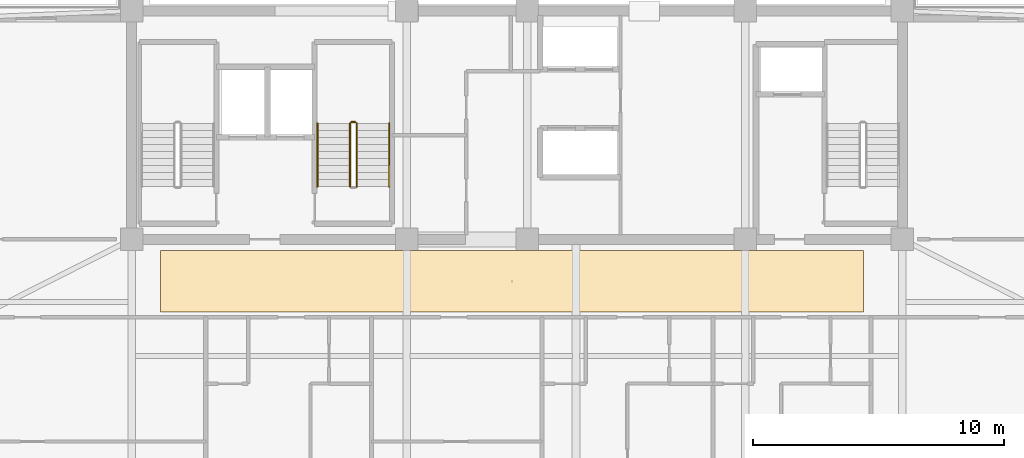
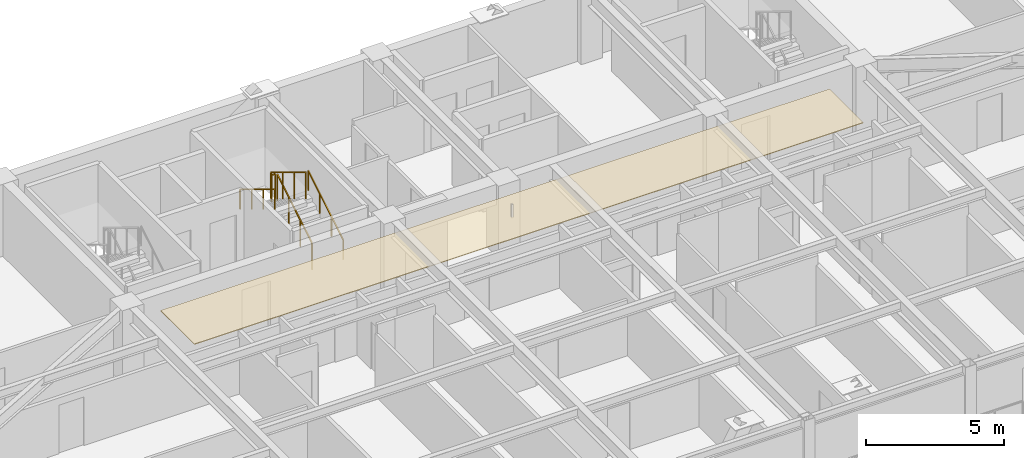
# One storey, part 14 of 15: 5 railings, 1 covering.
"""IFC4 building model written with IfcOpenShell, lengths in metres."""

from ifc_helpers import new_model, si_unit, direction, frame, origin, origin_2d, place, context, subcontext, project, spatial, polyline, rectangle, outline, extrude, material, layer, layer_set, type_object, element, save


model = new_model("IFC4")

# Units and contexts
model_context = context("Model", 3, precision=1e-05, world=origin(), true_north=direction((0.0, 1.0)))
body_context = subcontext(model_context, "Body", "Model", "MODEL_VIEW")
ifc_project = project(units=[si_unit("LENGTHUNIT", "METRE"), si_unit("AREAUNIT", "SQUARE_METRE"), si_unit("VOLUMEUNIT", "CUBIC_METRE"), si_unit("PLANEANGLEUNIT", "RADIAN"), si_unit("MASSUNIT", "GRAM", prefix="KILO")], contexts=[model_context])

# Site, building, storey
site_placement = place(None, origin())
site = spatial("IfcSite", under=ifc_project, at=site_placement, CompositionType="ELEMENT")
building_placement = place(site_placement, origin())
building = spatial("IfcBuilding", under=site, at=building_placement, Name="Giltprow Tower", CompositionType="ELEMENT")
storey_placement = place(building_placement, frame((0.0, 0.0, 297.199951171875)))
storey = spatial("IfcBuildingStorey", under=building, at=storey_placement, Name="L76", CompositionType="ELEMENT", Elevation=297.199951171875)

# Covering
ifc_material_1 = material(Name="Painted gypsum board", Category="gypsum")
ifc_layer = layer(ifc_material_1, 0.030029296875, Name="Painted gypsum board")
ifc_layer_set = layer_set([ifc_layer], Name="Painted gypsum board")
covering_type = type_object("IfcCoveringType", Name="COV-CLG-GYPSUM", PredefinedType="CEILING", material=ifc_layer_set)
covering_placement = place(storey_placement, frame((0.0, 0.0, 2.6201171875)))
element("IfcCovering", 1, at=covering_placement, inside=storey, type_object=covering_type, Name="L76 Residence Gallery Ceiling", PredefinedType="CEILING", context=body_context, shape_type="SweptSolid", body=[
    extrude(outline(polyline([(21.0, 34.550048828125), (49.0, 34.550048828125), (49.0, 37.0), (21.0, 37.0), (21.0, 34.550048828125)])), origin(), (0.0, 0.0, 1.0), 0.030029296875),
])

# Railings
ifc_material_2 = material(Name="Anodized bronze", Category="metal")
railing_type_1 = type_object("IfcRailingType", Name="RAIL-STAIR-GUARD-1200", PredefinedType="GUARDRAIL", material=ifc_material_2)
railing_1_placement = place(storey_placement, frame((28.81005859375, 39.550048828125, 0.170166015625)))
element("IfcRailing", 2, at=railing_1_placement, inside=storey, type_object=railing_type_1, Name="L76 ST-2 stair guard 1", PredefinedType="GUARDRAIL", context=body_context, shape_type="SweptSolid", body=[
    extrude(rectangle(XDim=0.048095703125, YDim=0.048095703125, at=origin_2d()), frame((0.0, 0.0, 1.17578125), z_axis=(0.0, 0.854821627497, 0.518921945155), x_axis=(-1.0, 0.0, 0.0)), (0.0, 0.0, 1.0), 2.947998046875),
    extrude(rectangle(XDim=0.0419921875, YDim=0.0419921875, at=origin_2d()), origin(), (0.0, 0.0, 1.0), 1.15185546875),
    extrude(rectangle(XDim=0.0419921875, YDim=0.0419921875, at=origin_2d()), frame((0.0, 0.840087890625, 0.510009765625)), (0.0, 0.0, 1.0), 1.15185546875),
    extrude(rectangle(XDim=0.0419921875, YDim=0.0419921875, at=origin_2d()), frame((0.0, 1.679931640625, 1.019775390625)), (0.0, 0.0, 1.0), 1.15185546875),
    extrude(rectangle(XDim=0.0419921875, YDim=0.0419921875, at=origin_2d()), frame((0.0, 2.52001953125, 1.52978515625)), (0.0, 0.0, 1.0), 1.15185546875),
])
railing_2_placement = place(storey_placement, frame((28.760009765625, 42.1201171875, 1.699951171875)))
element("IfcRailing", 3, at=railing_2_placement, inside=storey, type_object=railing_type_1, Name="L76 ST-2 stair guard 2", PredefinedType="GUARDRAIL", context=body_context, shape_type="SweptSolid", body=[
    extrude(rectangle(XDim=0.048095703125, YDim=0.048095703125, at=origin_2d()), frame((0.0, 0.0, 1.17578125), z_axis=(-1.0, 0.0, 0.0), x_axis=(0.0, -1.0, 0.0)), (0.0, 0.0, 1.0), 0.159912109375),
    extrude(rectangle(XDim=0.0419921875, YDim=0.0419921875, at=origin_2d()), origin(), (0.0, 0.0, 1.0), 1.15185546875),
    extrude(rectangle(XDim=0.0419921875, YDim=0.0419921875, at=origin_2d()), frame((-0.159912109375, 0.0, 0.0)), (0.0, 0.0, 1.0), 1.15185546875),
])
railing_3_placement = place(storey_placement, frame((28.550048828125, 42.070068359375, 1.8701171875)))
element("IfcRailing", 4, at=railing_3_placement, inside=storey, type_object=railing_type_1, Name="L76 ST-2 stair guard 3", PredefinedType="GUARDRAIL", context=body_context, shape_type="SweptSolid", body=[
    extrude(rectangle(XDim=0.048095703125, YDim=0.048095703125, at=origin_2d()), frame((0.0, 0.0, 1.17578125), z_axis=(0.0, -0.85478489116, 0.518982456201), x_axis=(1.0, 0.0, 0.0)), (0.0, 0.0, 1.0), 2.9482421875),
    extrude(rectangle(XDim=0.0419921875, YDim=0.0419921875, at=origin_2d()), origin(), (0.0, 0.0, 1.0), 1.15185546875),
    extrude(rectangle(XDim=0.0419921875, YDim=0.0419921875, at=origin_2d()), frame((0.0, -0.840087890625, 0.510009765625)), (0.0, 0.0, 1.0), 1.15185546875),
    extrude(rectangle(XDim=0.0419921875, YDim=0.0419921875, at=origin_2d()), frame((0.0, -1.679931640625, 1.02001953125)), (0.0, 0.0, 1.0), 1.15185546875),
    extrude(rectangle(XDim=0.0419921875, YDim=0.0419921875, at=origin_2d()), frame((0.0, -2.52001953125, 1.530029296875)), (0.0, 0.0, 1.0), 1.15185546875),
])
railing_type_2 = type_object("IfcRailingType", Name="RAIL-STAIR-HAND-900", PredefinedType="HANDRAIL", material=ifc_material_2)
railing_4_placement = place(storey_placement, frame((30.110107421875, 39.550048828125, 0.170166015625)))
element("IfcRailing", 5, at=railing_4_placement, inside=storey, type_object=railing_type_2, Name="L76 ST-2 stair handrail 1", PredefinedType="HANDRAIL", context=body_context, shape_type="SweptSolid", body=[
    extrude(rectangle(XDim=0.048095703125, YDim=0.048095703125, at=origin_2d()), frame((0.0, 0.0, 0.8759765625), z_axis=(0.0, 0.854821627497, 0.518921945155), x_axis=(-1.0, 0.0, 0.0)), (0.0, 0.0, 1.0), 2.947998046875),
    extrude(rectangle(XDim=0.0419921875, YDim=0.0419921875, at=origin_2d()), origin(), (0.0, 0.0, 1.0), 0.851806640625),
    extrude(rectangle(XDim=0.0419921875, YDim=0.0419921875, at=origin_2d()), frame((0.0, 0.840087890625, 0.510009765625)), (0.0, 0.0, 1.0), 0.851806640625),
    extrude(rectangle(XDim=0.0419921875, YDim=0.0419921875, at=origin_2d()), frame((0.0, 1.679931640625, 1.019775390625)), (0.0, 0.0, 1.0), 0.851806640625),
    extrude(rectangle(XDim=0.0419921875, YDim=0.0419921875, at=origin_2d()), frame((0.0, 2.52001953125, 1.52978515625)), (0.0, 0.0, 1.0), 0.851806640625),
])
railing_5_placement = place(storey_placement, frame((27.25, 42.070068359375, 1.8701171875)))
element("IfcRailing", 6, at=railing_5_placement, inside=storey, type_object=railing_type_2, Name="L76 ST-2 stair handrail 2", PredefinedType="HANDRAIL", context=body_context, shape_type="SweptSolid", body=[
    extrude(rectangle(XDim=0.048095703125, YDim=0.048095703125, at=origin_2d()), frame((0.0, 0.0, 0.8759765625), z_axis=(0.0, -0.85478489116, 0.518982456201), x_axis=(1.0, 0.0, 0.0)), (0.0, 0.0, 1.0), 2.9482421875),
    extrude(rectangle(XDim=0.0419921875, YDim=0.0419921875, at=origin_2d()), origin(), (0.0, 0.0, 1.0), 0.851806640625),
    extrude(rectangle(XDim=0.0419921875, YDim=0.0419921875, at=origin_2d()), frame((0.0, -0.840087890625, 0.510009765625)), (0.0, 0.0, 1.0), 0.851806640625),
    extrude(rectangle(XDim=0.0419921875, YDim=0.0419921875, at=origin_2d()), frame((0.0, -1.679931640625, 1.02001953125)), (0.0, 0.0, 1.0), 0.851806640625),
    extrude(rectangle(XDim=0.0419921875, YDim=0.0419921875, at=origin_2d()), frame((0.0, -2.52001953125, 1.530029296875)), (0.0, 0.0, 1.0), 0.851806640625),
])

save(model, "model.ifc")
